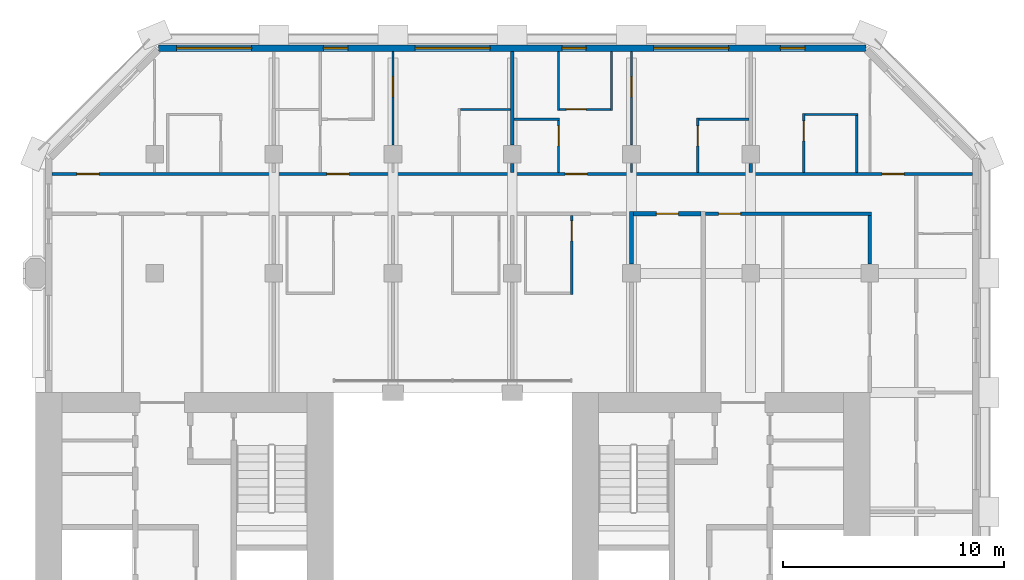
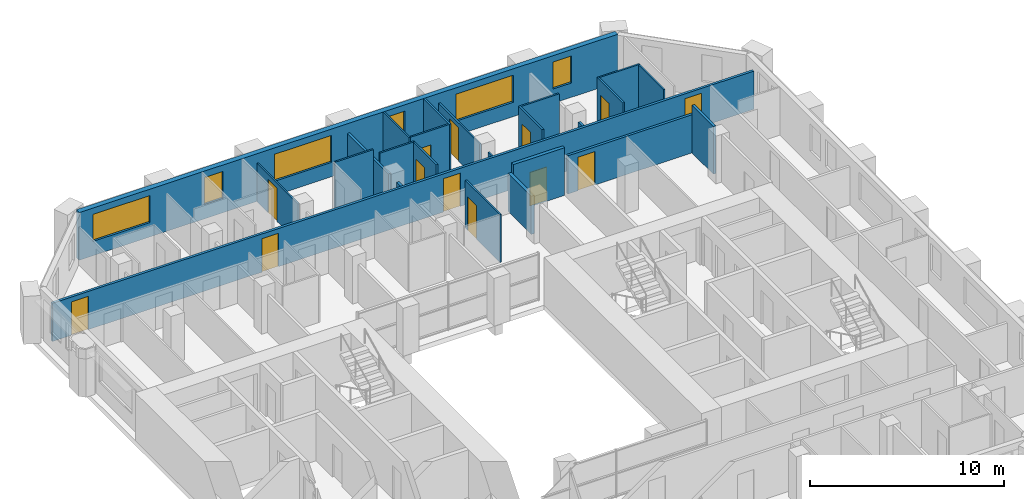
# One storey, part 9 of 13: 24 walls, 13 doors, 6 windows, 19 openings.
"""IFC4 building model written with IfcOpenShell, lengths in metres."""

from ifc_helpers import new_model, si_unit, direction, frame, frame_2d, origin, place, context, subcontext, project, spatial, rectangle, extrude, material, layer, layer_set, type_object, element, fill, save


model = new_model("IFC4")

# Units and contexts
model_context = context("Model", 3, precision=1e-05, world=origin(), true_north=direction((0.0, 1.0)))
body_context = subcontext(model_context, "Body", "Model", "MODEL_VIEW")
ifc_project = project(units=[si_unit("LENGTHUNIT", "METRE"), si_unit("AREAUNIT", "SQUARE_METRE"), si_unit("VOLUMEUNIT", "CUBIC_METRE"), si_unit("PLANEANGLEUNIT", "RADIAN"), si_unit("MASSUNIT", "GRAM", prefix="KILO")], contexts=[model_context])

# Site, building, storey
site_placement = place(None, origin())
site = spatial("IfcSite", under=ifc_project, at=site_placement, CompositionType="ELEMENT")
building_placement = place(site_placement, origin())
building = spatial("IfcBuilding", under=site, at=building_placement, Name="Tabaq Tower and Sports Hall", CompositionType="ELEMENT")
storey_placement = place(building_placement, frame((0.0, 0.0, 203.800048828125)))
storey = spatial("IfcBuildingStorey", under=building, at=storey_placement, Name="L50", CompositionType="ELEMENT", Elevation=203.800048828125)

# Wall
ifc_material_1 = material(Name="Blockwork", Category="masonry")
ifc_layer_1 = layer(ifc_material_1, 0.199951171875)
ifc_layer_set_1 = layer_set([ifc_layer_1], Name="Fire compartment wall 200 Blockwork")
wall_type_1 = type_object("IfcWallType", Name="Fire compartment wall 200 Blockwork", PredefinedType="PARTITIONING", material=ifc_layer_set_1)
wall_1_placement = place(storey_placement, frame((32.39990234375, 38.219970703125, 0.0), z_axis=(0.0, 0.0, 1.0), x_axis=(0.0, 1.0, 0.0)))
element("IfcWall", 1, at=wall_1_placement, inside=storey, type_object=wall_type_1, Name="Compartment wall L50", PredefinedType="PARTITIONING", context=body_context, shape_type="SweptSolid", body=[
    extrude(rectangle(XDim=2.380126953125, YDim=0.199951171875, at=frame_2d((1.18994140625, 0.0))), origin(), (0.0, 0.0, 1.0), 2.39990234375),
])

# Wall, opening, door
wall_2_placement = place(storey_placement, frame((32.5, 40.5, 0.0), z_axis=(0.0, 0.0, 1.0), x_axis=(1.0, 0.0, 0.0)))
wall_2 = element("IfcWall", 2, at=wall_2_placement, inside=storey, type_object=wall_type_1, Name="Compartment wall L50", PredefinedType="PARTITIONING", context=body_context, shape_type="SweptSolid", body=[
    extrude(rectangle(XDim=3.050048828125, YDim=0.199951171875, at=frame_2d((1.52490234375, 0.0))), origin(), (0.0, 0.0, 1.0), 3.0),
])
opening_1_placement = place(wall_2_placement, frame((1.02490234375, 0.0, 0.0)))
opening_1 = element("IfcOpeningElement", 3, at=opening_1_placement, cuts=wall_2, Name="Opening L50-015", PredefinedType="OPENING", context=body_context, shape_type="SweptSolid", body=[
    extrude(rectangle(XDim=1.0, YDim=2.10009765625, at=frame_2d((0.5, 1.050048828125))), frame((0.0, 0.10009765625, 0.0), z_axis=(0.0, -1.0, 0.0), x_axis=(1.0, 0.0, 0.0)), (0.0, 0.0, 1.0), 0.199951171875),
])
ifc_material_2 = material(Name="Steel fire door", Category="steel")
door_type_1 = type_object("IfcDoorType", Name="Riser door 1000 left hand", OperationType="SINGLE_SWING_LEFT", PredefinedType="DOOR", material=ifc_material_2)
door_1_placement = place(opening_1_placement, origin())
door_1 = element("IfcDoor", 4, at=door_1_placement, inside=storey, type_object=door_type_1, Name="Riser door L50-015", OperationType="SINGLE_SWING_LEFT", OverallHeight=2.10009765625, OverallWidth=1.0, PredefinedType="DOOR", context=body_context, shape_type="SweptSolid", body=[
    extrude(rectangle(XDim=1.0, YDim=2.10009765625, at=frame_2d((0.5, 1.050048828125))), frame((0.0, 0.02490234375, 0.0), z_axis=(0.0, -1.0, 0.0), x_axis=(1.0, 0.0, 0.0)), (0.0, 0.0, 1.0), 0.050048828125),
])
fill(opening_1, door_1)

ifc_material_3 = material(Name="Gypsum board on steel studs", Category="steel")
ifc_layer_2 = layer(ifc_material_3, 0.10009765625)
ifc_layer_set_2 = layer_set([ifc_layer_2], Name="Partition 100 Gypsum board")
wall_type_2 = type_object("IfcWallType", Name="Partition 100 Gypsum board", PredefinedType="PARTITIONING", material=ifc_layer_set_2)
wall_3_placement = place(storey_placement, frame((29.699951171875, 40.425048828125, 0.0), z_axis=(0.0, 0.0, 1.0), x_axis=(0.0, -1.0, 0.0)))
wall_3 = element("IfcWall", 5, at=wall_3_placement, inside=storey, type_object=wall_type_2, Name="Partition wall L50", PredefinedType="PARTITIONING", context=body_context, shape_type="SweptSolid", body=[
    extrude(rectangle(XDim=3.574951171875, YDim=0.10009765625, at=frame_2d((1.78759765625, 0.0))), origin(), (0.0, 0.0, 1.0), 3.0),
])
opening_2_placement = place(wall_3_placement, frame((0.25, 0.0, 0.0)))
opening_2 = element("IfcOpeningElement", 6, at=opening_2_placement, cuts=wall_3, Name="Opening L50-003", PredefinedType="OPENING", context=body_context, shape_type="SweptSolid", body=[
    extrude(rectangle(XDim=0.89990234375, YDim=2.10009765625, at=frame_2d((0.449951171875, 1.050048828125))), frame((0.0, 0.050048828125, 0.0), z_axis=(0.0, -1.0, 0.0), x_axis=(1.0, 0.0, 0.0)), (0.0, 0.0, 1.0), 0.10009765625),
])
ifc_material_4 = material(Name="Timber leaf in steel frame", Category="steel")
door_type_2 = type_object("IfcDoorType", Name="Internal door 900 left hand", OperationType="SINGLE_SWING_LEFT", PredefinedType="DOOR", material=ifc_material_4)
door_2_placement = place(opening_2_placement, origin())
door_2 = element("IfcDoor", 7, at=door_2_placement, inside=storey, type_object=door_type_2, Name="Internal door L50-003", OperationType="SINGLE_SWING_LEFT", OverallHeight=2.10009765625, OverallWidth=0.89990234375, PredefinedType="DOOR", context=body_context, shape_type="SweptSolid", body=[
    extrude(rectangle(XDim=0.89990234375, YDim=2.10009765625, at=frame_2d((0.449951171875, 1.050048828125))), frame((0.0, 0.02490234375, 0.0), z_axis=(0.0, -1.0, 0.0), x_axis=(1.0, 0.0, 0.0)), (0.0, 0.0, 1.0), 0.050048828125),
])
fill(opening_2, door_2)

wall_4_placement = place(storey_placement, frame((21.60009765625, 47.84912109375, 0.0), z_axis=(0.0, 0.0, 1.0), x_axis=(0.0, -1.0, 0.0)))
wall_4 = element("IfcWall", 8, at=wall_4_placement, inside=storey, type_object=wall_type_2, Name="Partition wall L50", PredefinedType="PARTITIONING", context=body_context, shape_type="SweptSolid", body=[
    extrude(rectangle(XDim=4.22900390625, YDim=0.10009765625, at=frame_2d((2.114501953125, 0.0))), origin(), (0.0, 0.0, 1.0), 2.39990234375),
])
opening_3_placement = place(wall_4_placement, frame((1.14892578125, 0.0, 0.0)))
opening_3 = element("IfcOpeningElement", 9, at=opening_3_placement, cuts=wall_4, Name="Opening L50-037", PredefinedType="OPENING", context=body_context, shape_type="SweptSolid", body=[
    extrude(rectangle(XDim=0.89990234375, YDim=2.10009765625, at=frame_2d((0.449951171875, 1.050048828125))), frame((0.0, 0.050048828125, 0.0), z_axis=(0.0, -1.0, 0.0), x_axis=(1.0, 0.0, 0.0)), (0.0, 0.0, 1.0), 0.10009765625),
])
door_3_placement = place(opening_3_placement, origin())
door_3 = element("IfcDoor", 10, at=door_3_placement, inside=storey, type_object=door_type_2, Name="Internal door L50-037", OperationType="SINGLE_SWING_LEFT", OverallHeight=2.10009765625, OverallWidth=0.89990234375, PredefinedType="DOOR", context=body_context, shape_type="SweptSolid", body=[
    extrude(rectangle(XDim=0.89990234375, YDim=2.10009765625, at=frame_2d((0.449951171875, 1.050048828125))), frame((0.0, 0.02490234375, 0.0), z_axis=(0.0, -1.0, 0.0), x_axis=(1.0, 0.0, 0.0)), (0.0, 0.0, 1.0), 0.050048828125),
])
fill(opening_3, door_3)

# Wall
wall_5_placement = place(storey_placement, frame((24.64990234375, 45.22509765625, 0.0), z_axis=(0.0, 0.0, 1.0), x_axis=(1.0, 0.0, 0.0)))
element("IfcWall", 11, at=wall_5_placement, inside=storey, type_object=wall_type_2, Name="Partition wall L50", PredefinedType="PARTITIONING", context=body_context, shape_type="SweptSolid", body=[
    extrude(rectangle(XDim=2.275146484375, YDim=0.10009765625, at=frame_2d((1.1376953125, 0.0))), origin(), (0.0, 0.0, 1.0), 3.0),
])

# Wall, opening, door
wall_6_placement = place(storey_placement, frame((32.39990234375, 47.84912109375, 0.0), z_axis=(0.0, 0.0, 1.0), x_axis=(0.0, -1.0, 0.0)))
wall_6 = element("IfcWall", 12, at=wall_6_placement, inside=storey, type_object=wall_type_2, Name="Partition wall L50", PredefinedType="PARTITIONING", context=body_context, shape_type="SweptSolid", body=[
    extrude(rectangle(XDim=4.22900390625, YDim=0.10009765625, at=frame_2d((2.114501953125, 0.0))), origin(), (0.0, 0.0, 1.0), 2.39990234375),
])
opening_4_placement = place(wall_6_placement, frame((1.14892578125, 0.0, 0.0)))
opening_4 = element("IfcOpeningElement", 13, at=opening_4_placement, cuts=wall_6, Name="Opening L50-038", PredefinedType="OPENING", context=body_context, shape_type="SweptSolid", body=[
    extrude(rectangle(XDim=0.89990234375, YDim=2.10009765625, at=frame_2d((0.449951171875, 1.050048828125))), frame((0.0, 0.050048828125, 0.0), z_axis=(0.0, -1.0, 0.0), x_axis=(1.0, 0.0, 0.0)), (0.0, 0.0, 1.0), 0.10009765625),
])
ifc_material_5 = material(Name="Timber leaf in steel frame", Category="steel")
door_type_3 = type_object("IfcDoorType", Name="Internal door 900 right hand", OperationType="SINGLE_SWING_RIGHT", PredefinedType="DOOR", material=ifc_material_5)
door_4_placement = place(opening_4_placement, origin())
door_4 = element("IfcDoor", 14, at=door_4_placement, inside=storey, type_object=door_type_3, Name="Internal door L50-038", OperationType="SINGLE_SWING_RIGHT", OverallHeight=2.10009765625, OverallWidth=0.89990234375, PredefinedType="DOOR", context=body_context, shape_type="SweptSolid", body=[
    extrude(rectangle(XDim=0.89990234375, YDim=2.10009765625, at=frame_2d((0.449951171875, 1.050048828125))), frame((0.0, 0.02490234375, 0.0), z_axis=(0.0, -1.0, 0.0), x_axis=(1.0, 0.0, 0.0)), (0.0, 0.0, 1.0), 0.050048828125),
])
fill(opening_4, door_4)

# Wall
wall_7_placement = place(storey_placement, frame((32.39990234375, 42.780029296875, 0.0), z_axis=(0.0, 0.0, 1.0), x_axis=(0.0, -1.0, 0.0)))
element("IfcWall", 15, at=wall_7_placement, inside=storey, type_object=wall_type_2, Name="Partition wall L50", PredefinedType="PARTITIONING", context=body_context, shape_type="SweptSolid", body=[
    extrude(rectangle(XDim=0.405029296875, YDim=0.10009765625, at=frame_2d((0.20263671875, 0.0))), origin(), (0.0, 0.0, 1.0), 2.39990234375),
])

# Wall, opening, door
wall_8_placement = place(storey_placement, frame((35.39990234375, 42.375, 0.0), z_axis=(0.0, 0.0, 1.0), x_axis=(0.0, 1.0, 0.0)))
wall_8 = element("IfcWall", 16, at=wall_8_placement, inside=storey, type_object=wall_type_2, Name="Partition wall L50", PredefinedType="PARTITIONING", context=body_context, shape_type="SweptSolid", body=[
    extrude(rectangle(XDim=2.449951171875, YDim=0.10009765625, at=frame_2d((1.22509765625, 0.0))), origin(), (0.0, 0.0, 1.0), 3.0),
])
opening_5_placement = place(wall_8_placement, frame((1.199951171875, 0.0, 0.0)))
opening_5 = element("IfcOpeningElement", 17, at=opening_5_placement, cuts=wall_8, Name="Opening L50-009", PredefinedType="OPENING", context=body_context, shape_type="SweptSolid", body=[
    extrude(rectangle(XDim=0.89990234375, YDim=2.10009765625, at=frame_2d((0.449951171875, 1.050048828125))), frame((0.0, 0.050048828125, 0.0), z_axis=(0.0, -1.0, 0.0), x_axis=(1.0, 0.0, 0.0)), (0.0, 0.0, 1.0), 0.10009765625),
])
door_5_placement = place(opening_5_placement, origin())
door_5 = element("IfcDoor", 18, at=door_5_placement, inside=storey, type_object=door_type_2, Name="Internal door L50-009", OperationType="SINGLE_SWING_LEFT", OverallHeight=2.10009765625, OverallWidth=0.89990234375, PredefinedType="DOOR", context=body_context, shape_type="SweptSolid", body=[
    extrude(rectangle(XDim=0.89990234375, YDim=2.10009765625, at=frame_2d((0.449951171875, 1.050048828125))), frame((0.0, 0.02490234375, 0.0), z_axis=(0.0, -1.0, 0.0), x_axis=(1.0, 0.0, 0.0)), (0.0, 0.0, 1.0), 0.050048828125),
])
fill(opening_5, door_5)

# Walls
wall_9_placement = place(storey_placement, frame((35.449951171875, 44.77490234375, 0.0), z_axis=(0.0, 0.0, 1.0), x_axis=(1.0, 0.0, 0.0)))
element("IfcWall", 19, at=wall_9_placement, inside=storey, type_object=wall_type_2, Name="Partition wall L50", PredefinedType="PARTITIONING", context=body_context, shape_type="SweptSolid", body=[
    extrude(rectangle(XDim=2.275146484375, YDim=0.10009765625, at=frame_2d((1.1376953125, 0.0))), origin(), (0.0, 0.0, 1.0), 3.0),
])
wall_10_placement = place(storey_placement, frame((29.14990234375, 44.77490234375, 0.0), z_axis=(0.0, 0.0, 1.0), x_axis=(-1.0, 0.0, 0.0)))
element("IfcWall", 20, at=wall_10_placement, inside=storey, type_object=wall_type_2, Name="Partition wall L50", PredefinedType="PARTITIONING", context=body_context, shape_type="SweptSolid", body=[
    extrude(rectangle(XDim=2.074951171875, YDim=0.10009765625, at=frame_2d((1.03759765625, 0.0))), origin(), (0.0, 0.0, 1.0), 3.0),
])

# Wall, opening, door
wall_11_placement = place(storey_placement, frame((29.10009765625, 42.375, 0.0), z_axis=(0.0, 0.0, 1.0), x_axis=(0.0, 1.0, 0.0)))
wall_11 = element("IfcWall", 21, at=wall_11_placement, inside=storey, type_object=wall_type_2, Name="Partition wall L50", PredefinedType="PARTITIONING", context=body_context, shape_type="SweptSolid", body=[
    extrude(rectangle(XDim=2.35009765625, YDim=0.10009765625, at=frame_2d((1.175048828125, 0.0))), origin(), (0.0, 0.0, 1.0), 3.0),
])
opening_6_placement = place(wall_11_placement, frame((1.199951171875, 0.0, 0.0)))
opening_6 = element("IfcOpeningElement", 22, at=opening_6_placement, cuts=wall_11, Name="Opening L50-010", PredefinedType="OPENING", context=body_context, shape_type="SweptSolid", body=[
    extrude(rectangle(XDim=0.89990234375, YDim=2.10009765625, at=frame_2d((0.449951171875, 1.050048828125))), frame((0.0, 0.050048828125, 0.0), z_axis=(0.0, -1.0, 0.0), x_axis=(1.0, 0.0, 0.0)), (0.0, 0.0, 1.0), 0.10009765625),
])
door_6_placement = place(opening_6_placement, origin())
door_6 = element("IfcDoor", 23, at=door_6_placement, inside=storey, type_object=door_type_3, Name="Internal door L50-010", OperationType="SINGLE_SWING_RIGHT", OverallHeight=2.10009765625, OverallWidth=0.89990234375, PredefinedType="DOOR", context=body_context, shape_type="SweptSolid", body=[
    extrude(rectangle(XDim=0.89990234375, YDim=2.10009765625, at=frame_2d((0.449951171875, 1.050048828125))), frame((0.0, 0.02490234375, 0.0), z_axis=(0.0, -1.0, 0.0), x_axis=(1.0, 0.0, 0.0)), (0.0, 0.0, 1.0), 0.050048828125),
])
fill(opening_6, door_6)

# Walls
for number, where, z_axis, x_axis, name in (
    (24, (29.10009765625, 45.175048828125, 0.0), (0.0, 0.0, 1.0), (0.0, 1.0, 0.0), "Partition wall L50"),
    (25, (31.5, 47.84912109375, 0.0), (0.0, 0.0, 1.0), (0.0, -1.0, 0.0), "Partition wall L50"),
):
    element("IfcWall", number, at=place(storey_placement, frame(where, z_axis=z_axis, x_axis=x_axis)), inside=storey, type_object=wall_type_2, Name=name, PredefinedType="PARTITIONING", context=body_context, shape_type="SweptSolid", body=[
        extrude(rectangle(XDim=2.674072265625, YDim=0.10009765625, at=frame_2d((1.3369140625, 0.0))), origin(), (0.0, 0.0, 1.0), 3.0),
    ])

# Wall, opening, door
wall_12_placement = place(storey_placement, frame((31.449951171875, 45.22509765625, 0.0), z_axis=(0.0, 0.0, 1.0), x_axis=(-1.0, 0.0, 0.0)))
wall_12 = element("IfcWall", 26, at=wall_12_placement, inside=storey, type_object=wall_type_2, Name="Partition wall L50", PredefinedType="PARTITIONING", context=body_context, shape_type="SweptSolid", body=[
    extrude(rectangle(XDim=2.300048828125, YDim=0.10009765625, at=frame_2d((1.14990234375, 0.0))), origin(), (0.0, 0.0, 1.0), 3.0),
])
opening_7_placement = place(wall_12_placement, frame((1.10009765625, 0.0, 0.0)))
opening_7 = element("IfcOpeningElement", 27, at=opening_7_placement, cuts=wall_12, Name="Opening L50-011", PredefinedType="OPENING", context=body_context, shape_type="SweptSolid", body=[
    extrude(rectangle(XDim=0.89990234375, YDim=2.10009765625, at=frame_2d((0.449951171875, 1.050048828125))), frame((0.0, 0.050048828125, 0.0), z_axis=(0.0, -1.0, 0.0), x_axis=(1.0, 0.0, 0.0)), (0.0, 0.0, 1.0), 0.10009765625),
])
door_7_placement = place(opening_7_placement, origin())
door_7 = element("IfcDoor", 28, at=door_7_placement, inside=storey, type_object=door_type_2, Name="Internal door L50-011", OperationType="SINGLE_SWING_LEFT", OverallHeight=2.10009765625, OverallWidth=0.89990234375, PredefinedType="DOOR", context=body_context, shape_type="SweptSolid", body=[
    extrude(rectangle(XDim=0.89990234375, YDim=2.10009765625, at=frame_2d((0.449951171875, 1.050048828125))), frame((0.0, 0.02490234375, 0.0), z_axis=(0.0, -1.0, 0.0), x_axis=(1.0, 0.0, 0.0)), (0.0, 0.0, 1.0), 0.050048828125),
])
fill(opening_7, door_7)

wall_13_placement = place(storey_placement, frame((40.199951171875, 42.375, 0.0), z_axis=(0.0, 0.0, 1.0), x_axis=(0.0, 1.0, 0.0)))
wall_13 = element("IfcWall", 29, at=wall_13_placement, inside=storey, type_object=wall_type_2, Name="Partition wall L50", PredefinedType="PARTITIONING", context=body_context, shape_type="SweptSolid", body=[
    extrude(rectangle(XDim=2.675048828125, YDim=0.10009765625, at=frame_2d((1.33740234375, 0.0))), origin(), (0.0, 0.0, 1.0), 3.0),
])
opening_8_placement = place(wall_13_placement, frame((1.425048828125, 0.0, 0.0)))
opening_8 = element("IfcOpeningElement", 30, at=opening_8_placement, cuts=wall_13, Name="Opening L50-012", PredefinedType="OPENING", context=body_context, shape_type="SweptSolid", body=[
    extrude(rectangle(XDim=0.89990234375, YDim=2.10009765625, at=frame_2d((0.449951171875, 1.050048828125))), frame((0.0, 0.050048828125, 0.0), z_axis=(0.0, -1.0, 0.0), x_axis=(1.0, 0.0, 0.0)), (0.0, 0.0, 1.0), 0.10009765625),
])
door_8_placement = place(opening_8_placement, origin())
door_8 = element("IfcDoor", 31, at=door_8_placement, inside=storey, type_object=door_type_3, Name="Internal door L50-012", OperationType="SINGLE_SWING_RIGHT", OverallHeight=2.10009765625, OverallWidth=0.89990234375, PredefinedType="DOOR", context=body_context, shape_type="SweptSolid", body=[
    extrude(rectangle(XDim=0.89990234375, YDim=2.10009765625, at=frame_2d((0.449951171875, 1.050048828125))), frame((0.0, 0.02490234375, 0.0), z_axis=(0.0, -1.0, 0.0), x_axis=(1.0, 0.0, 0.0)), (0.0, 0.0, 1.0), 0.050048828125),
])
fill(opening_8, door_8)

# Walls
wall_14_placement = place(storey_placement, frame((40.25, 45.0, 0.0), z_axis=(0.0, 0.0, 1.0), x_axis=(1.0, 0.0, 0.0)))
element("IfcWall", 32, at=wall_14_placement, inside=storey, type_object=wall_type_2, Name="Partition wall L50", PredefinedType="PARTITIONING", context=body_context, shape_type="SweptSolid", body=[
    extrude(rectangle(XDim=2.39990234375, YDim=0.10009765625, at=frame_2d((1.199951171875, 0.0))), origin(), (0.0, 0.0, 1.0), 3.0),
])
wall_15_placement = place(storey_placement, frame((42.60009765625, 44.949951171875, 0.0), z_axis=(0.0, 0.0, 1.0), x_axis=(0.0, -1.0, 0.0)))
element("IfcWall", 33, at=wall_15_placement, inside=storey, type_object=wall_type_2, Name="Partition wall L50", PredefinedType="PARTITIONING", context=body_context, shape_type="SweptSolid", body=[
    extrude(rectangle(XDim=2.574951171875, YDim=0.10009765625, at=frame_2d((1.28759765625, 0.0))), origin(), (0.0, 0.0, 1.0), 3.0),
])
ifc_material_6 = material(Name="Blockwork", Category="masonry")
ifc_layer_3 = layer(ifc_material_6, 0.14990234375)
ifc_layer_set_3 = layer_set([ifc_layer_3], Name="Separating wall 150 Blockwork")
wall_type_3 = type_object("IfcWallType", Name="Separating wall 150 Blockwork", PredefinedType="PARTITIONING", material=ifc_layer_set_3)
wall_16_placement = place(storey_placement, frame((27.0, 42.375, 0.0), z_axis=(0.0, 0.0, 1.0), x_axis=(0.0, 1.0, 0.0)))
element("IfcWall", 34, at=wall_16_placement, inside=storey, type_object=wall_type_3, Name="Separating wall L50", PredefinedType="PARTITIONING", context=body_context, shape_type="SweptSolid", body=[
    extrude(rectangle(XDim=0.405029296875, YDim=0.14990234375, at=frame_2d((0.20263671875, 0.0))), origin(), (0.0, 0.0, 1.0), 2.39990234375),
])
wall_17_placement = place(storey_placement, frame((27.0, 43.6201171875, 0.0), z_axis=(0.0, 0.0, 1.0), x_axis=(0.0, 1.0, 0.0)))
element("IfcWall", 35, at=wall_17_placement, inside=storey, type_object=wall_type_3, Name="Separating wall L50", PredefinedType="PARTITIONING", context=body_context, shape_type="SweptSolid", body=[
    extrude(rectangle(XDim=4.22900390625, YDim=0.14990234375, at=frame_2d((2.114501953125, 0.0))), origin(), (0.0, 0.0, 1.0), 2.39990234375),
])
wall_18_placement = place(storey_placement, frame((37.800048828125, 42.375, 0.0), z_axis=(0.0, 0.0, 1.0), x_axis=(0.0, 1.0, 0.0)))
element("IfcWall", 36, at=wall_18_placement, inside=storey, type_object=wall_type_3, Name="Separating wall L50", PredefinedType="PARTITIONING", context=body_context, shape_type="SweptSolid", body=[
    extrude(rectangle(XDim=0.405029296875, YDim=0.14990234375, at=frame_2d((0.20263671875, 0.0))), origin(), (0.0, 0.0, 1.0), 2.39990234375),
])

# Wall, openings, doors
wall_19_placement = place(storey_placement, frame((47.84912109375, 42.300048828125, 0.0), z_axis=(0.0, 0.0, 1.0), x_axis=(-1.0, 0.0, 0.0)))
wall_19 = element("IfcWall", 37, at=wall_19_placement, inside=storey, type_object=wall_type_3, Name="Separating wall L50", PredefinedType="PARTITIONING", context=body_context, shape_type="SweptSolid", body=[
    extrude(rectangle(XDim=41.6982421875, YDim=0.14990234375, at=frame_2d((20.84912109375, 0.0))), origin(), (0.0, 0.0, 1.0), 2.39990234375),
])
opening_9_placement = place(wall_19_placement, frame((39.56591796875, 0.0, 0.0)))
opening_9 = element("IfcOpeningElement", 38, at=opening_9_placement, cuts=wall_19, Name="Opening L50-036", PredefinedType="OPENING", context=body_context, shape_type="SweptSolid", body=[
    extrude(rectangle(XDim=1.0, YDim=2.10009765625, at=frame_2d((0.5, 1.050048828125))), frame((0.0, 0.074951171875, 0.0), z_axis=(0.0, -1.0, 0.0), x_axis=(1.0, 0.0, 0.0)), (0.0, 0.0, 1.0), 0.14990234375),
])
opening_10_placement = place(wall_19_placement, frame((3.09912109375, 0.0, 0.0)))
opening_10 = element("IfcOpeningElement", 39, at=opening_10_placement, cuts=wall_19, Name="Opening L50-040", PredefinedType="OPENING", context=body_context, shape_type="SweptSolid", body=[
    extrude(rectangle(XDim=1.0, YDim=2.10009765625, at=frame_2d((0.5, 1.050048828125))), frame((0.0, 0.074951171875, 0.0), z_axis=(0.0, -1.0, 0.0), x_axis=(1.0, 0.0, 0.0)), (0.0, 0.0, 1.0), 0.14990234375),
])
opening_11_placement = place(wall_19_placement, frame((28.2490234375, 0.0, 0.0)))
opening_11 = element("IfcOpeningElement", 40, at=opening_11_placement, cuts=wall_19, Name="Opening L50-054", PredefinedType="OPENING", context=body_context, shape_type="SweptSolid", body=[
    extrude(rectangle(XDim=1.0, YDim=2.10009765625, at=frame_2d((0.5, 1.050048828125))), frame((0.0, 0.074951171875, 0.0), z_axis=(0.0, -1.0, 0.0), x_axis=(1.0, 0.0, 0.0)), (0.0, 0.0, 1.0), 0.14990234375),
])
opening_12_placement = place(wall_19_placement, frame((17.448974609375, 0.0, 0.0)))
opening_12 = element("IfcOpeningElement", 41, at=opening_12_placement, cuts=wall_19, Name="Opening L50-055", PredefinedType="OPENING", context=body_context, shape_type="SweptSolid", body=[
    extrude(rectangle(XDim=1.0, YDim=2.10009765625, at=frame_2d((0.5, 1.050048828125))), frame((0.0, 0.074951171875, 0.0), z_axis=(0.0, -1.0, 0.0), x_axis=(1.0, 0.0, 0.0)), (0.0, 0.0, 1.0), 0.14990234375),
])
ifc_material_7 = material(Name="Steel fire door", Category="steel")
door_type_4 = type_object("IfcDoorType", Name="Entrance door 1000 left hand", OperationType="SINGLE_SWING_LEFT", PredefinedType="DOOR", material=ifc_material_7)
door_9_placement = place(opening_11_placement, origin())
door_9 = element("IfcDoor", 42, at=door_9_placement, inside=storey, type_object=door_type_4, Name="Entrance door L50-054", OperationType="SINGLE_SWING_LEFT", OverallHeight=2.10009765625, OverallWidth=1.0, PredefinedType="DOOR", context=body_context, shape_type="SweptSolid", body=[
    extrude(rectangle(XDim=1.0, YDim=2.10009765625, at=frame_2d((0.5, 1.050048828125))), frame((0.0, 0.02490234375, 0.0), z_axis=(0.0, -1.0, 0.0), x_axis=(1.0, 0.0, 0.0)), (0.0, 0.0, 1.0), 0.050048828125),
])
fill(opening_11, door_9)
door_10_placement = place(opening_12_placement, origin())
door_10 = element("IfcDoor", 43, at=door_10_placement, inside=storey, type_object=door_type_4, Name="Entrance door L50-055", OperationType="SINGLE_SWING_LEFT", OverallHeight=2.10009765625, OverallWidth=1.0, PredefinedType="DOOR", context=body_context, shape_type="SweptSolid", body=[
    extrude(rectangle(XDim=1.0, YDim=2.10009765625, at=frame_2d((0.5, 1.050048828125))), frame((0.0, 0.02490234375, 0.0), z_axis=(0.0, -1.0, 0.0), x_axis=(1.0, 0.0, 0.0)), (0.0, 0.0, 1.0), 0.050048828125),
])
fill(opening_12, door_10)
ifc_material_8 = material(Name="Steel fire door", Category="steel")
door_type_5 = type_object("IfcDoorType", Name="Entrance door 1000 right hand", OperationType="SINGLE_SWING_RIGHT", PredefinedType="DOOR", material=ifc_material_8)
door_11_placement = place(opening_9_placement, origin())
door_11 = element("IfcDoor", 44, at=door_11_placement, inside=storey, type_object=door_type_5, Name="Entrance door L50-036", OperationType="SINGLE_SWING_RIGHT", OverallHeight=2.10009765625, OverallWidth=1.0, PredefinedType="DOOR", context=body_context, shape_type="SweptSolid", body=[
    extrude(rectangle(XDim=1.0, YDim=2.10009765625, at=frame_2d((0.5, 1.050048828125))), frame((0.0, 0.02490234375, 0.0), z_axis=(0.0, -1.0, 0.0), x_axis=(1.0, 0.0, 0.0)), (0.0, 0.0, 1.0), 0.050048828125),
])
fill(opening_9, door_11)
door_12_placement = place(opening_10_placement, origin())
door_12 = element("IfcDoor", 45, at=door_12_placement, inside=storey, type_object=door_type_5, Name="Entrance door L50-040", OperationType="SINGLE_SWING_RIGHT", OverallHeight=2.10009765625, OverallWidth=1.0, PredefinedType="DOOR", context=body_context, shape_type="SweptSolid", body=[
    extrude(rectangle(XDim=1.0, YDim=2.10009765625, at=frame_2d((0.5, 1.050048828125))), frame((0.0, 0.02490234375, 0.0), z_axis=(0.0, -1.0, 0.0), x_axis=(1.0, 0.0, 0.0)), (0.0, 0.0, 1.0), 0.050048828125),
])
fill(opening_10, door_12)

# Wall, opening, door
wall_20_placement = place(storey_placement, frame((43.27490234375, 40.5, 0.0), z_axis=(0.0, 0.0, 1.0), x_axis=(-1.0, 0.0, 0.0)))
wall_20 = element("IfcWall", 46, at=wall_20_placement, inside=storey, type_object=wall_type_3, Name="Separating wall L50", PredefinedType="PARTITIONING", context=body_context, shape_type="SweptSolid", body=[
    extrude(rectangle(XDim=7.52490234375, YDim=0.14990234375, at=frame_2d((3.762451171875, 0.0))), origin(), (0.0, 0.0, 1.0), 2.39990234375),
])
opening_13_placement = place(wall_20_placement, frame((5.925048828125, 0.0, 0.0)))
opening_13 = element("IfcOpeningElement", 47, at=opening_13_placement, cuts=wall_20, Name="Opening L50-042", PredefinedType="OPENING", context=body_context, shape_type="SweptSolid", body=[
    extrude(rectangle(XDim=1.0, YDim=2.10009765625, at=frame_2d((0.5, 1.050048828125))), frame((0.0, 0.074951171875, 0.0), z_axis=(0.0, -1.0, 0.0), x_axis=(1.0, 0.0, 0.0)), (0.0, 0.0, 1.0), 0.14990234375),
])
ifc_material_9 = material(Name="Timber leaf in steel frame", Category="steel")
door_type_6 = type_object("IfcDoorType", Name="Internal door 1000 left hand", OperationType="SINGLE_SWING_LEFT", PredefinedType="DOOR", material=ifc_material_9)
door_13_placement = place(opening_13_placement, origin())
door_13 = element("IfcDoor", 48, at=door_13_placement, inside=storey, type_object=door_type_6, Name="Internal door L50-042", OperationType="SINGLE_SWING_LEFT", OverallHeight=2.10009765625, OverallWidth=1.0, PredefinedType="DOOR", context=body_context, shape_type="SweptSolid", body=[
    extrude(rectangle(XDim=1.0, YDim=2.10009765625, at=frame_2d((0.5, 1.050048828125))), frame((0.0, 0.02490234375, 0.0), z_axis=(0.0, -1.0, 0.0), x_axis=(1.0, 0.0, 0.0)), (0.0, 0.0, 1.0), 0.050048828125),
])
fill(opening_13, door_13)

# Wall
wall_21_placement = place(storey_placement, frame((43.199951171875, 40.425048828125, 0.0), z_axis=(0.0, 0.0, 1.0), x_axis=(0.0, -1.0, 0.0)))
element("IfcWall", 49, at=wall_21_placement, inside=storey, type_object=wall_type_3, Name="Separating wall L50", PredefinedType="PARTITIONING", context=body_context, shape_type="SweptSolid", body=[
    extrude(rectangle(XDim=2.205078125, YDim=0.14990234375, at=frame_2d((1.1025390625, 0.0))), origin(), (0.0, 0.0, 1.0), 3.0),
])

# Wall, openings, windows
ifc_material_10 = material(Name="White precast concrete C60/75", Category="concrete")
ifc_layer_4 = layer(ifc_material_10, 0.300048828125)
ifc_layer_set_4 = layer_set([ifc_layer_4], Name="White precast concrete C60/75 external wall 300")
wall_type_4 = type_object("IfcWallType", Name="White precast concrete C60/75 external wall 300", PredefinedType="SOLIDWALL", material=ifc_layer_set_4)
wall_22_placement = place(storey_placement, frame((43.013671875, 48.0, 0.0), z_axis=(0.0, 0.0, 1.0), x_axis=(-1.0, 0.0, 0.0)))
wall_22 = element("IfcWall", 50, at=wall_22_placement, inside=storey, type_object=wall_type_4, Name="External Wall L50 N", PredefinedType="SOLIDWALL", context=body_context, shape_type="SweptSolid", body=[
    extrude(rectangle(XDim=32.02734375, YDim=0.300048828125, at=frame_2d((16.013671875, 0.0))), origin(), (0.0, 0.0, 1.0), 3.0),
])
opening_14_placement = place(wall_22_placement, frame((2.763671875, 0.0, 0.89990234375)))
opening_14 = element("IfcOpeningElement", 51, at=opening_14_placement, cuts=wall_22, Name="Opening W1B", PredefinedType="OPENING", context=body_context, shape_type="SweptSolid", body=[
    extrude(rectangle(XDim=1.10009765625, YDim=1.699951171875, at=frame_2d((0.550048828125, 0.85009765625))), frame((0.0, 0.16015625, 0.0), z_axis=(0.0, -1.0, 0.0), x_axis=(1.0, 0.0, 0.0)), (0.0, 0.0, 1.0), 0.320068359375),
])
opening_15_placement = place(wall_22_placement, frame((6.213623046875, 0.0, 0.89990234375)))
opening_15 = element("IfcOpeningElement", 52, at=opening_15_placement, cuts=wall_22, Name="Opening W1A", PredefinedType="OPENING", context=body_context, shape_type="SweptSolid", body=[
    extrude(rectangle(XDim=3.39990234375, YDim=1.699951171875, at=frame_2d((1.699951171875, 0.85009765625))), frame((0.0, 0.16015625, 0.0), z_axis=(0.0, -1.0, 0.0), x_axis=(1.0, 0.0, 0.0)), (0.0, 0.0, 1.0), 0.320068359375),
])
opening_16_placement = place(wall_22_placement, frame((12.66357421875, 0.0, 0.89990234375)))
opening_16 = element("IfcOpeningElement", 53, at=opening_16_placement, cuts=wall_22, Name="Opening W1B", PredefinedType="OPENING", context=body_context, shape_type="SweptSolid", body=[
    extrude(rectangle(XDim=1.10009765625, YDim=1.699951171875, at=frame_2d((0.550048828125, 0.85009765625))), frame((0.0, 0.16015625, 0.0), z_axis=(0.0, -1.0, 0.0), x_axis=(1.0, 0.0, 0.0)), (0.0, 0.0, 1.0), 0.320068359375),
])
opening_17_placement = place(wall_22_placement, frame((17.013671875, 0.0, 0.89990234375)))
opening_17 = element("IfcOpeningElement", 54, at=opening_17_placement, cuts=wall_22, Name="Opening W1A", PredefinedType="OPENING", context=body_context, shape_type="SweptSolid", body=[
    extrude(rectangle(XDim=3.39990234375, YDim=1.699951171875, at=frame_2d((1.699951171875, 0.85009765625))), frame((0.0, 0.16015625, 0.0), z_axis=(0.0, -1.0, 0.0), x_axis=(1.0, 0.0, 0.0)), (0.0, 0.0, 1.0), 0.320068359375),
])
opening_18_placement = place(wall_22_placement, frame((23.463623046875, 0.0, 0.89990234375)))
opening_18 = element("IfcOpeningElement", 55, at=opening_18_placement, cuts=wall_22, Name="Opening W1B", PredefinedType="OPENING", context=body_context, shape_type="SweptSolid", body=[
    extrude(rectangle(XDim=1.10009765625, YDim=1.699951171875, at=frame_2d((0.550048828125, 0.85009765625))), frame((0.0, 0.16015625, 0.0), z_axis=(0.0, -1.0, 0.0), x_axis=(1.0, 0.0, 0.0)), (0.0, 0.0, 1.0), 0.320068359375),
])
opening_19_placement = place(wall_22_placement, frame((27.813720703125, 0.0, 0.89990234375)))
opening_19 = element("IfcOpeningElement", 56, at=opening_19_placement, cuts=wall_22, Name="Opening W1A", PredefinedType="OPENING", context=body_context, shape_type="SweptSolid", body=[
    extrude(rectangle(XDim=3.39990234375, YDim=1.699951171875, at=frame_2d((1.699951171875, 0.85009765625))), frame((0.0, 0.16015625, 0.0), z_axis=(0.0, -1.0, 0.0), x_axis=(1.0, 0.0, 0.0)), (0.0, 0.0, 1.0), 0.320068359375),
])
ifc_material_11 = material(Name="Aluminium framed clear glazing", Category="aluminium")
window_type_1 = type_object("IfcWindowType", Name="Window W1A", PartitioningType="SINGLE_PANEL", PredefinedType="WINDOW", material=ifc_material_11)
window_1_placement = place(opening_15_placement, origin())
window_1 = element("IfcWindow", 57, at=window_1_placement, inside=storey, type_object=window_type_1, Name="Window W1A L50", OverallHeight=1.699951171875, OverallWidth=3.39990234375, PartitioningType="SINGLE_PANEL", PredefinedType="WINDOW", context=body_context, shape_type="SweptSolid", body=[
    extrude(rectangle(XDim=3.39990234375, YDim=1.699951171875, at=frame_2d((1.699951171875, 0.85009765625))), frame((0.0, 0.030029296875, 0.0), z_axis=(0.0, -1.0, 0.0), x_axis=(1.0, 0.0, 0.0)), (0.0, 0.0, 1.0), 0.06005859375),
])
fill(opening_15, window_1)
window_2_placement = place(opening_17_placement, origin())
window_2 = element("IfcWindow", 58, at=window_2_placement, inside=storey, type_object=window_type_1, Name="Window W1A L50", OverallHeight=1.699951171875, OverallWidth=3.39990234375, PartitioningType="SINGLE_PANEL", PredefinedType="WINDOW", context=body_context, shape_type="SweptSolid", body=[
    extrude(rectangle(XDim=3.39990234375, YDim=1.699951171875, at=frame_2d((1.699951171875, 0.85009765625))), frame((0.0, 0.030029296875, 0.0), z_axis=(0.0, -1.0, 0.0), x_axis=(1.0, 0.0, 0.0)), (0.0, 0.0, 1.0), 0.06005859375),
])
fill(opening_17, window_2)
window_3_placement = place(opening_19_placement, origin())
window_3 = element("IfcWindow", 59, at=window_3_placement, inside=storey, type_object=window_type_1, Name="Window W1A L50", OverallHeight=1.699951171875, OverallWidth=3.39990234375, PartitioningType="SINGLE_PANEL", PredefinedType="WINDOW", context=body_context, shape_type="SweptSolid", body=[
    extrude(rectangle(XDim=3.39990234375, YDim=1.699951171875, at=frame_2d((1.699951171875, 0.85009765625))), frame((0.0, 0.030029296875, 0.0), z_axis=(0.0, -1.0, 0.0), x_axis=(1.0, 0.0, 0.0)), (0.0, 0.0, 1.0), 0.06005859375),
])
fill(opening_19, window_3)
ifc_material_12 = material(Name="Aluminium framed clear glazing", Category="aluminium")
window_type_2 = type_object("IfcWindowType", Name="Window W1B", PartitioningType="SINGLE_PANEL", PredefinedType="WINDOW", material=ifc_material_12)
window_4_placement = place(opening_14_placement, origin())
window_4 = element("IfcWindow", 60, at=window_4_placement, inside=storey, type_object=window_type_2, Name="Window W1B L50", OverallHeight=1.699951171875, OverallWidth=1.10009765625, PartitioningType="SINGLE_PANEL", PredefinedType="WINDOW", context=body_context, shape_type="SweptSolid", body=[
    extrude(rectangle(XDim=1.10009765625, YDim=1.699951171875, at=frame_2d((0.550048828125, 0.85009765625))), frame((0.0, 0.030029296875, 0.0), z_axis=(0.0, -1.0, 0.0), x_axis=(1.0, 0.0, 0.0)), (0.0, 0.0, 1.0), 0.06005859375),
])
fill(opening_14, window_4)
window_5_placement = place(opening_16_placement, origin())
window_5 = element("IfcWindow", 61, at=window_5_placement, inside=storey, type_object=window_type_2, Name="Window W1B L50", OverallHeight=1.699951171875, OverallWidth=1.10009765625, PartitioningType="SINGLE_PANEL", PredefinedType="WINDOW", context=body_context, shape_type="SweptSolid", body=[
    extrude(rectangle(XDim=1.10009765625, YDim=1.699951171875, at=frame_2d((0.550048828125, 0.85009765625))), frame((0.0, 0.030029296875, 0.0), z_axis=(0.0, -1.0, 0.0), x_axis=(1.0, 0.0, 0.0)), (0.0, 0.0, 1.0), 0.06005859375),
])
fill(opening_16, window_5)
window_6_placement = place(opening_18_placement, origin())
window_6 = element("IfcWindow", 62, at=window_6_placement, inside=storey, type_object=window_type_2, Name="Window W1B L50", OverallHeight=1.699951171875, OverallWidth=1.10009765625, PartitioningType="SINGLE_PANEL", PredefinedType="WINDOW", context=body_context, shape_type="SweptSolid", body=[
    extrude(rectangle(XDim=1.10009765625, YDim=1.699951171875, at=frame_2d((0.550048828125, 0.85009765625))), frame((0.0, 0.030029296875, 0.0), z_axis=(0.0, -1.0, 0.0), x_axis=(1.0, 0.0, 0.0)), (0.0, 0.0, 1.0), 0.06005859375),
])
fill(opening_18, window_6)

save(model, "model.ifc")
